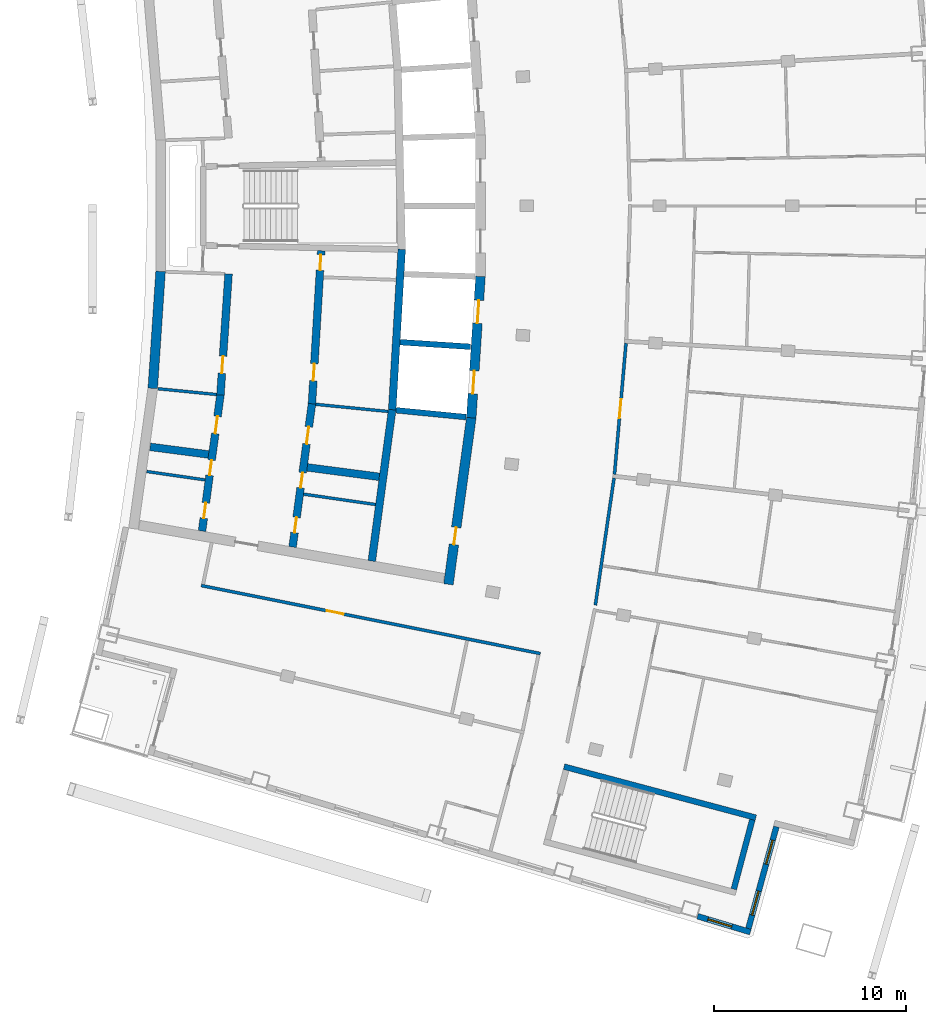
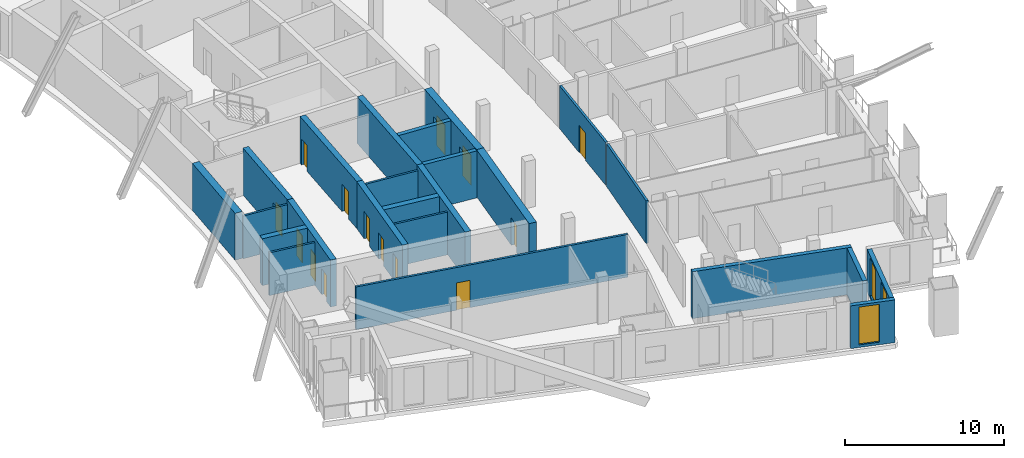
# One storey, part 8 of 17: 24 walls, 14 doors, 3 windows, 17 openings.
"""IFC4 building model written with IfcOpenShell, lengths in metres."""

from ifc_helpers import new_model, si_unit, direction, frame, frame_2d, origin, place, context, subcontext, project, spatial, rectangle, extrude, material, layer, layer_set, type_object, element, fill, save


model = new_model("IFC4")

# Units and contexts
model_context = context("Model", 3, precision=1e-05, world=origin(), true_north=direction((0.0, 1.0)))
body_context = subcontext(model_context, "Body", "Model", "MODEL_VIEW")
ifc_project = project(units=[si_unit("LENGTHUNIT", "METRE"), si_unit("AREAUNIT", "SQUARE_METRE"), si_unit("VOLUMEUNIT", "CUBIC_METRE"), si_unit("PLANEANGLEUNIT", "RADIAN"), si_unit("MASSUNIT", "GRAM", prefix="KILO")], contexts=[model_context])

# Site, building, storey
site_placement = place(None, origin())
site = spatial("IfcSite", under=ifc_project, at=site_placement, CompositionType="ELEMENT")
building_placement = place(site_placement, origin())
building = spatial("IfcBuilding", under=site, at=building_placement, Name="Alderwake Tower", CompositionType="ELEMENT")
storey_placement = place(building_placement, frame((0.0, 0.0, 256.39990234375)))
storey = spatial("IfcBuildingStorey", under=building, at=storey_placement, Name="L63", CompositionType="ELEMENT", Elevation=256.39990234375)

# Walls
ifc_material_1 = material(Name="Gypsum shaft wall system, rated")
ifc_layer_1 = layer(ifc_material_1, 0.14990234375)
ifc_layer_set_1 = layer_set([ifc_layer_1], Name="Core room partition 150")
wall_type_1 = type_object("IfcWallType", Name="Core room partition 150", PredefinedType="PARTITIONING", material=ifc_layer_set_1)
wall_1_placement = place(storey_placement, frame((15.965576171875, 47.13916015625, 0.0), z_axis=(0.0, 0.0, 1.0), x_axis=(0.989737455728, -0.142897756207, 0.0)))
element("IfcWall", 1, at=wall_1_placement, inside=storey, type_object=wall_type_1, Name="CW/L63/PR-150_+0", PredefinedType="PARTITIONING", context=body_context, shape_type="SweptSolid", body=[
    extrude(rectangle(XDim=3.07861328125, YDim=0.14990234375, at=frame_2d((1.539306640625, 0.0))), origin(), (0.0, 0.0, 1.0), 3.280029296875),
])
wall_2_placement = place(storey_placement, frame((24.156005859375, 45.956298828125, 0.0), z_axis=(0.0, 0.0, 1.0), x_axis=(0.989733513529, -0.142925057975, 0.0)))
element("IfcWall", 2, at=wall_2_placement, inside=storey, type_object=wall_type_1, Name="CW/L63/PR-150_+86", PredefinedType="PARTITIONING", context=body_context, shape_type="SweptSolid", body=[
    extrude(rectangle(XDim=3.795654296875, YDim=0.14990234375, at=frame_2d((1.89794921875, 0.0))), origin(), (0.0, 0.0, 1.0), 3.280029296875),
])
wall_3_placement = place(storey_placement, frame((16.559814453125, 51.458251953125, 0.0), z_axis=(0.0, 0.0, 1.0), x_axis=(0.99515693677, -0.098298887065, 0.0)))
element("IfcWall", 3, at=wall_3_placement, inside=storey, type_object=wall_type_1, Name="CW/L63/PR-103_+0", PredefinedType="PARTITIONING", context=body_context, shape_type="SweptSolid", body=[
    extrude(rectangle(XDim=3.06982421875, YDim=0.14990234375, at=frame_2d((1.534912109375, 0.0))), origin(), (0.0, 0.0, 1.0), 3.280029296875),
])
wall_4_placement = place(storey_placement, frame((24.789794921875, 50.64501953125, 0.0), z_axis=(0.0, 0.0, 1.0), x_axis=(0.995153039802, -0.098338331148, 0.0)))
element("IfcWall", 4, at=wall_4_placement, inside=storey, type_object=wall_type_1, Name="CW/L63/PR-103_+86", PredefinedType="PARTITIONING", context=body_context, shape_type="SweptSolid", body=[
    extrude(rectangle(XDim=3.7958984375, YDim=0.14990234375, at=frame_2d((1.89794921875, 0.0))), origin(), (0.0, 0.0, 1.0), 3.280029296875),
])
ifc_material_2 = material(Name="Concrete C70/85", Category="concrete")
ifc_layer_2 = layer(ifc_material_2, 0.5)
ifc_layer_set_2 = layer_set([ifc_layer_2], Name="Core wall outer 500 C70-85")
wall_type_2 = type_object("IfcWallType", Name="Core wall outer 500 C70-85", PredefinedType="SHEAR", material=ifc_layer_set_2)
wall_5_placement = place(storey_placement, frame((16.280517578125, 51.4765625, 0.0), z_axis=(0.0, 0.0, 1.0), x_axis=(0.066863022947, 0.997762164127, 0.0)))
element("IfcWall", 5, at=wall_5_placement, inside=storey, type_object=wall_type_2, Name="Core wall CW.027", PredefinedType="SHEAR", context=body_context, shape_type="SweptSolid", body=[
    extrude(rectangle(XDim=6.123291015625, YDim=0.5, at=frame_2d((3.0615234375, 0.0))), origin(), (0.0, 0.0, 1.0), 3.60009765625),
])

# Wall, opening, door
wall_6_placement = place(storey_placement, frame((32.912109375, 49.960693359375, 0.0), z_axis=(0.0, 0.0, 1.0), x_axis=(-0.1358539401, -0.990728876615, 0.0)))
wall_6 = element("IfcWall", 6, at=wall_6_placement, inside=storey, type_object=wall_type_2, Name="Core wall CW.022", PredefinedType="SHEAR", context=body_context, shape_type="SweptSolid", body=[
    extrude(rectangle(XDim=8.794921875, YDim=0.5, at=frame_2d((4.3974609375, 0.0))), origin(), (0.0, 0.0, 1.0), 3.60009765625),
])
opening_1_placement = place(wall_6_placement, frame((5.79638671875, 0.0, 0.0)))
opening_1 = element("IfcOpeningElement", 7, at=opening_1_placement, cuts=wall_6, Name="Opening C060", PredefinedType="OPENING", context=body_context, shape_type="SweptSolid", body=[
    extrude(rectangle(XDim=0.89990234375, YDim=2.10009765625, at=frame_2d((0.449951171875, 1.050048828125))), frame((0.0, 0.260009765625, 0.0), z_axis=(0.0, -1.0, 0.0), x_axis=(1.0, 0.0, 0.0)), (0.0, 0.0, 1.0), 0.52001953125),
])
ifc_material_3 = material(Name="Painted steel leaf", Category="steel")
door_type_1 = type_object("IfcDoorType", Name="Core room door 900", OperationType="SINGLE_SWING_LEFT", PredefinedType="DOOR", material=ifc_material_3)
door_1_placement = place(opening_1_placement, origin())
door_1 = element("IfcDoor", 8, at=door_1_placement, inside=storey, type_object=door_type_1, Name="Room door", OperationType="SINGLE_SWING_RIGHT", OverallHeight=2.10009765625, OverallWidth=0.89990234375, PredefinedType="DOOR", context=body_context, shape_type="SweptSolid", body=[
    extrude(rectangle(XDim=0.89990234375, YDim=2.10009765625, at=frame_2d((0.449951171875, 1.050048828125))), frame((0.0, 0.02490234375, 0.0), z_axis=(0.0, -1.0, 0.0), x_axis=(1.0, 0.0, 0.0)), (0.0, 0.0, 1.0), 0.050048828125),
])
fill(opening_1, door_1)

# Wall, openings, doors
wall_7_placement = place(storey_placement, frame((32.91015625, 49.942138671875, 0.0), z_axis=(0.0, 0.0, 1.0), x_axis=(0.064980500916, 0.997886533881, 0.0)))
wall_7 = element("IfcWall", 9, at=wall_7_placement, inside=storey, type_object=wall_type_2, Name="Core wall CW.021", PredefinedType="SHEAR", context=body_context, shape_type="SweptSolid", body=[
    extrude(rectangle(XDim=7.39404296875, YDim=0.5, at=frame_2d((3.697021484375, 0.0))), origin(), (0.0, 0.0, 1.0), 3.60009765625),
])
opening_2_placement = place(wall_7_placement, frame((1.253173828125, 0.0, 0.0)))
opening_2 = element("IfcOpeningElement", 10, at=opening_2_placement, cuts=wall_7, Name="Opening LD-HP1", PredefinedType="OPENING", context=body_context, shape_type="SweptSolid", body=[
    extrude(rectangle(XDim=1.199951171875, YDim=2.300048828125, at=frame_2d((0.60009765625, 1.14990234375))), frame((0.0, 0.260009765625, 0.0), z_axis=(0.0, -1.0, 0.0), x_axis=(1.0, 0.0, 0.0)), (0.0, 0.0, 1.0), 0.52001953125),
])
opening_3_placement = place(wall_7_placement, frame((4.941650390625, 0.0, 0.0)))
opening_3 = element("IfcOpeningElement", 11, at=opening_3_placement, cuts=wall_7, Name="Opening LD-HP2", PredefinedType="OPENING", context=body_context, shape_type="SweptSolid", body=[
    extrude(rectangle(XDim=1.199951171875, YDim=2.300048828125, at=frame_2d((0.60009765625, 1.14990234375))), frame((0.0, 0.260009765625, 0.0), z_axis=(0.0, -1.0, 0.0), x_axis=(1.0, 0.0, 0.0)), (0.0, 0.0, 1.0), 0.52001953125),
])
ifc_material_4 = material(Name="Stainless steel sliding leaf", Category="steel")
door_type_2 = type_object("IfcDoorType", Name="Lift landing door 1200", OperationType="SLIDING_TO_LEFT", PredefinedType="DOOR", material=ifc_material_4)
door_2_placement = place(opening_2_placement, origin())
door_2 = element("IfcDoor", 12, at=door_2_placement, inside=storey, type_object=door_type_2, Name="Lift landing door HP1", OperationType="SLIDING_TO_LEFT", OverallHeight=2.300048828125, OverallWidth=1.199951171875, PredefinedType="DOOR", context=body_context, shape_type="SweptSolid", body=[
    extrude(rectangle(XDim=1.199951171875, YDim=2.300048828125, at=frame_2d((0.60009765625, 1.14990234375))), frame((0.0, 0.02490234375, 0.0), z_axis=(0.0, -1.0, 0.0), x_axis=(1.0, 0.0, 0.0)), (0.0, 0.0, 1.0), 0.050048828125),
])
fill(opening_2, door_2)
door_3_placement = place(opening_3_placement, origin())
door_3 = element("IfcDoor", 13, at=door_3_placement, inside=storey, type_object=door_type_2, Name="Lift landing door HP2", OperationType="SLIDING_TO_LEFT", OverallHeight=2.300048828125, OverallWidth=1.199951171875, PredefinedType="DOOR", context=body_context, shape_type="SweptSolid", body=[
    extrude(rectangle(XDim=1.199951171875, YDim=2.300048828125, at=frame_2d((0.60009765625, 1.14990234375))), frame((0.0, 0.02490234375, 0.0), z_axis=(0.0, -1.0, 0.0), x_axis=(1.0, 0.0, 0.0)), (0.0, 0.0, 1.0), 0.050048828125),
])
fill(opening_3, door_3)

# Walls
ifc_material_5 = material(Name="Concrete C70/85", Category="concrete")
ifc_layer_3 = layer(ifc_material_5, 0.300048828125)
ifc_layer_set_3 = layer_set([ifc_layer_3], Name="Core wall shaft 300 C70-85")
wall_type_3 = type_object("IfcWallType", Name="Core wall shaft 300 C70-85", PredefinedType="SHEAR", material=ifc_layer_set_3)
wall_8_placement = place(storey_placement, frame((28.9794921875, 50.336181640625, 0.0), z_axis=(0.0, 0.0, 1.0), x_axis=(0.995245736737, -0.097395705788, 0.0)))
element("IfcWall", 14, at=wall_8_placement, inside=storey, type_object=wall_type_3, Name="Core wall CW.064", PredefinedType="SHEAR", context=body_context, shape_type="SweptSolid", body=[
    extrude(rectangle(XDim=3.669677734375, YDim=0.300048828125, at=frame_2d((1.8349609375, 0.0))), origin(), (0.0, 0.0, 1.0), 3.60009765625),
])
wall_9_placement = place(storey_placement, frame((29.190185546875, 53.8896484375, 0.0), z_axis=(0.0, 0.0, 1.0), x_axis=(0.997885615286, -0.06499460597, 0.0)))
element("IfcWall", 15, at=wall_9_placement, inside=storey, type_object=wall_type_3, Name="Core wall CW.078", PredefinedType="SHEAR", context=body_context, shape_type="SweptSolid", body=[
    extrude(rectangle(XDim=3.688720703125, YDim=0.300048828125, at=frame_2d((1.84423828125, 0.0))), origin(), (0.0, 0.0, 1.0), 3.60009765625),
])

# Wall, openings, doors
ifc_material_6 = material(Name="Concrete C70/85", Category="concrete")
ifc_layer_4 = layer(ifc_material_6, 0.39990234375)
ifc_layer_set_4 = layer_set([ifc_layer_4], Name="Core wall spine 400 C70-85")
wall_type_4 = type_object("IfcWallType", Name="Core wall spine 400 C70-85", PredefinedType="SHEAR", material=ifc_layer_set_4)
wall_10_placement = place(storey_placement, frame((19.814697265625, 51.143798828125, 0.0), z_axis=(0.0, 0.0, 1.0), x_axis=(-0.133823115837, -0.991005233925, 0.0)))
wall_10 = element("IfcWall", 16, at=wall_10_placement, inside=storey, type_object=wall_type_4, Name="Core wall CW.033", PredefinedType="SHEAR", context=body_context, shape_type="SweptSolid", body=[
    extrude(rectangle(XDim=7.1787109375, YDim=0.39990234375, at=frame_2d((3.58935546875, 0.0))), origin(), (0.0, 0.0, 1.0), 3.60009765625),
])
opening_4_placement = place(wall_10_placement, frame((5.69677734375, 0.0, 0.0)))
opening_4 = element("IfcOpeningElement", 17, at=opening_4_placement, cuts=wall_10, Name="Opening C008", PredefinedType="OPENING", context=body_context, shape_type="SweptSolid", body=[
    extrude(rectangle(XDim=0.800048828125, YDim=2.0, at=frame_2d((0.39990234375, 1.0))), frame((0.0, 0.2099609375, 0.0), z_axis=(0.0, -1.0, 0.0), x_axis=(1.0, 0.0, 0.0)), (0.0, 0.0, 1.0), 0.419921875),
])
opening_5_placement = place(wall_10_placement, frame((3.443115234375, 0.0, 0.0)))
opening_5 = element("IfcOpeningElement", 18, at=opening_5_placement, cuts=wall_10, Name="Opening C012", PredefinedType="OPENING", context=body_context, shape_type="SweptSolid", body=[
    extrude(rectangle(XDim=0.800048828125, YDim=2.0, at=frame_2d((0.39990234375, 1.0))), frame((0.0, 0.2099609375, 0.0), z_axis=(0.0, -1.0, 0.0), x_axis=(1.0, 0.0, 0.0)), (0.0, 0.0, 1.0), 0.419921875),
])
opening_6_placement = place(wall_10_placement, frame((1.13916015625, 0.0, 0.0)))
opening_6 = element("IfcOpeningElement", 19, at=opening_6_placement, cuts=wall_10, Name="Opening C039", PredefinedType="OPENING", context=body_context, shape_type="SweptSolid", body=[
    extrude(rectangle(XDim=0.89990234375, YDim=2.10009765625, at=frame_2d((0.449951171875, 1.050048828125))), frame((0.0, 0.2099609375, 0.0), z_axis=(0.0, -1.0, 0.0), x_axis=(1.0, 0.0, 0.0)), (0.0, 0.0, 1.0), 0.419921875),
])
door_4_placement = place(opening_6_placement, origin())
door_4 = element("IfcDoor", 20, at=door_4_placement, inside=storey, type_object=door_type_1, Name="Room door", OperationType="SINGLE_SWING_LEFT", OverallHeight=2.10009765625, OverallWidth=0.89990234375, PredefinedType="DOOR", context=body_context, shape_type="SweptSolid", body=[
    extrude(rectangle(XDim=0.89990234375, YDim=2.10009765625, at=frame_2d((0.449951171875, 1.050048828125))), frame((0.0, 0.02490234375, 0.0), z_axis=(0.0, -1.0, 0.0), x_axis=(1.0, 0.0, 0.0)), (0.0, 0.0, 1.0), 0.050048828125),
])
fill(opening_6, door_4)
ifc_material_7 = material(Name="Painted steel leaf, rated", Category="steel")
door_type_3 = type_object("IfcDoorType", Name="Riser access door 800", OperationType="SINGLE_SWING_LEFT", PredefinedType="DOOR", material=ifc_material_7)
door_5_placement = place(opening_4_placement, origin())
door_5 = element("IfcDoor", 21, at=door_5_placement, inside=storey, type_object=door_type_3, Name="Riser access door", OperationType="SINGLE_SWING_LEFT", OverallHeight=2.0, OverallWidth=0.800048828125, PredefinedType="DOOR", context=body_context, shape_type="SweptSolid", body=[
    extrude(rectangle(XDim=0.800048828125, YDim=2.0, at=frame_2d((0.39990234375, 1.0))), frame((0.0, 0.02490234375, 0.0), z_axis=(0.0, -1.0, 0.0), x_axis=(1.0, 0.0, 0.0)), (0.0, 0.0, 1.0), 0.050048828125),
])
fill(opening_4, door_5)
door_6_placement = place(opening_5_placement, origin())
door_6 = element("IfcDoor", 22, at=door_6_placement, inside=storey, type_object=door_type_3, Name="Riser access door", OperationType="SINGLE_SWING_RIGHT", OverallHeight=2.0, OverallWidth=0.800048828125, PredefinedType="DOOR", context=body_context, shape_type="SweptSolid", body=[
    extrude(rectangle(XDim=0.800048828125, YDim=2.0, at=frame_2d((0.39990234375, 1.0))), frame((0.0, 0.02490234375, 0.0), z_axis=(0.0, -1.0, 0.0), x_axis=(1.0, 0.0, 0.0)), (0.0, 0.0, 1.0), 0.050048828125),
])
fill(opening_5, door_6)

# Wall, opening, door
wall_11_placement = place(storey_placement, frame((20.2373046875, 57.451904296875, 0.0), z_axis=(0.0, 0.0, 1.0), x_axis=(-0.066884681503, -0.997760712486, 0.0)))
wall_11 = element("IfcWall", 23, at=wall_11_placement, inside=storey, type_object=wall_type_4, Name="Core wall CW.032", PredefinedType="SHEAR", context=body_context, shape_type="SweptSolid", body=[
    extrude(rectangle(XDim=6.336669921875, YDim=0.39990234375, at=frame_2d((3.16845703125, 0.0))), origin(), (0.0, 0.0, 1.0), 3.60009765625),
])
opening_7_placement = place(wall_11_placement, frame((4.29736328125, 0.0, 0.0)))
opening_7 = element("IfcOpeningElement", 24, at=opening_7_placement, cuts=wall_11, Name="Opening C040", PredefinedType="OPENING", context=body_context, shape_type="SweptSolid", body=[
    extrude(rectangle(XDim=0.89990234375, YDim=2.10009765625, at=frame_2d((0.449951171875, 1.050048828125))), frame((0.0, 0.2099609375, 0.0), z_axis=(0.0, -1.0, 0.0), x_axis=(1.0, 0.0, 0.0)), (0.0, 0.0, 1.0), 0.419921875),
])
door_7_placement = place(opening_7_placement, origin())
door_7 = element("IfcDoor", 25, at=door_7_placement, inside=storey, type_object=door_type_1, Name="Room door", OperationType="SINGLE_SWING_RIGHT", OverallHeight=2.10009765625, OverallWidth=0.89990234375, PredefinedType="DOOR", context=body_context, shape_type="SweptSolid", body=[
    extrude(rectangle(XDim=0.89990234375, YDim=2.10009765625, at=frame_2d((0.449951171875, 1.050048828125))), frame((0.0, 0.02490234375, 0.0), z_axis=(0.0, -1.0, 0.0), x_axis=(1.0, 0.0, 0.0)), (0.0, 0.0, 1.0), 0.050048828125),
])
fill(opening_7, door_7)

# Wall, openings, doors
wall_12_placement = place(storey_placement, frame((23.58056640625, 43.19384765625, 0.0), z_axis=(0.0, 0.0, 1.0), x_axis=(0.133962545762, 0.990986395635, 0.0)))
wall_12 = element("IfcWall", 26, at=wall_12_placement, inside=storey, type_object=wall_type_4, Name="Core wall CW.047", PredefinedType="SHEAR", context=body_context, shape_type="SweptSolid", body=[
    extrude(rectangle(XDim=7.546875, YDim=0.39990234375, at=frame_2d((3.7734375, 0.0))), origin(), (0.0, 0.0, 1.0), 3.60009765625),
])
opening_8_placement = place(wall_12_placement, frame((0.7578125, 0.0, 0.0)))
opening_8 = element("IfcOpeningElement", 27, at=opening_8_placement, cuts=wall_12, Name="Opening C015", PredefinedType="OPENING", context=body_context, shape_type="SweptSolid", body=[
    extrude(rectangle(XDim=0.800048828125, YDim=2.0, at=frame_2d((0.39990234375, 1.0))), frame((0.0, 0.2099609375, 0.0), z_axis=(0.0, -1.0, 0.0), x_axis=(1.0, 0.0, 0.0)), (0.0, 0.0, 1.0), 0.419921875),
])
opening_9_placement = place(wall_12_placement, frame((3.119384765625, 0.0, 0.0)))
opening_9 = element("IfcOpeningElement", 28, at=opening_9_placement, cuts=wall_12, Name="Opening C019", PredefinedType="OPENING", context=body_context, shape_type="SweptSolid", body=[
    extrude(rectangle(XDim=0.800048828125, YDim=2.0, at=frame_2d((0.39990234375, 1.0))), frame((0.0, 0.2099609375, 0.0), z_axis=(0.0, -1.0, 0.0), x_axis=(1.0, 0.0, 0.0)), (0.0, 0.0, 1.0), 0.419921875),
])
opening_10_placement = place(wall_12_placement, frame((5.43115234375, 0.0, 0.0)))
opening_10 = element("IfcOpeningElement", 29, at=opening_10_placement, cuts=wall_12, Name="Opening C045", PredefinedType="OPENING", context=body_context, shape_type="SweptSolid", body=[
    extrude(rectangle(XDim=0.89990234375, YDim=2.10009765625, at=frame_2d((0.449951171875, 1.050048828125))), frame((0.0, 0.2099609375, 0.0), z_axis=(0.0, -1.0, 0.0), x_axis=(1.0, 0.0, 0.0)), (0.0, 0.0, 1.0), 0.419921875),
])
door_8_placement = place(opening_10_placement, origin())
door_8 = element("IfcDoor", 30, at=door_8_placement, inside=storey, type_object=door_type_1, Name="Room door", OperationType="SINGLE_SWING_LEFT", OverallHeight=2.10009765625, OverallWidth=0.89990234375, PredefinedType="DOOR", context=body_context, shape_type="SweptSolid", body=[
    extrude(rectangle(XDim=0.89990234375, YDim=2.10009765625, at=frame_2d((0.449951171875, 1.050048828125))), frame((0.0, 0.02490234375, 0.0), z_axis=(0.0, -1.0, 0.0), x_axis=(1.0, 0.0, 0.0)), (0.0, 0.0, 1.0), 0.050048828125),
])
fill(opening_10, door_8)
door_9_placement = place(opening_8_placement, origin())
door_9 = element("IfcDoor", 31, at=door_9_placement, inside=storey, type_object=door_type_3, Name="Riser access door", OperationType="SINGLE_SWING_LEFT", OverallHeight=2.0, OverallWidth=0.800048828125, PredefinedType="DOOR", context=body_context, shape_type="SweptSolid", body=[
    extrude(rectangle(XDim=0.800048828125, YDim=2.0, at=frame_2d((0.39990234375, 1.0))), frame((0.0, 0.02490234375, 0.0), z_axis=(0.0, -1.0, 0.0), x_axis=(1.0, 0.0, 0.0)), (0.0, 0.0, 1.0), 0.050048828125),
])
fill(opening_8, door_9)
door_10_placement = place(opening_9_placement, origin())
door_10 = element("IfcDoor", 32, at=door_10_placement, inside=storey, type_object=door_type_3, Name="Riser access door", OperationType="SINGLE_SWING_RIGHT", OverallHeight=2.0, OverallWidth=0.800048828125, PredefinedType="DOOR", context=body_context, shape_type="SweptSolid", body=[
    extrude(rectangle(XDim=0.800048828125, YDim=2.0, at=frame_2d((0.39990234375, 1.0))), frame((0.0, 0.02490234375, 0.0), z_axis=(0.0, -1.0, 0.0), x_axis=(1.0, 0.0, 0.0)), (0.0, 0.0, 1.0), 0.050048828125),
])
fill(opening_9, door_10)

wall_13_placement = place(storey_placement, frame((24.590087890625, 50.65673828125, 0.0), z_axis=(0.0, 0.0, 1.0), x_axis=(0.060318641452, 0.998179173041, 0.0)))
wall_13 = element("IfcWall", 33, at=wall_13_placement, inside=storey, type_object=wall_type_4, Name="Core wall CW.046", PredefinedType="SHEAR", context=body_context, shape_type="SweptSolid", body=[
    extrude(rectangle(XDim=8.022216796875, YDim=0.39990234375, at=frame_2d((4.01123046875, 0.0))), origin(), (0.0, 0.0, 1.0), 3.60009765625),
])
opening_11_placement = place(wall_13_placement, frame((7.006103515625, 0.0, 0.0)))
opening_11 = element("IfcOpeningElement", 34, at=opening_11_placement, cuts=wall_13, Name="Opening C006", PredefinedType="OPENING", context=body_context, shape_type="SweptSolid", body=[
    extrude(rectangle(XDim=0.800048828125, YDim=2.0, at=frame_2d((0.39990234375, 1.0))), frame((0.0, 0.2099609375, 0.0), z_axis=(0.0, -1.0, 0.0), x_axis=(1.0, 0.0, 0.0)), (0.0, 0.0, 1.0), 0.419921875),
])
opening_12_placement = place(wall_13_placement, frame((1.21533203125, 0.0, 0.0)))
opening_12 = element("IfcOpeningElement", 35, at=opening_12_placement, cuts=wall_13, Name="Opening C046", PredefinedType="OPENING", context=body_context, shape_type="SweptSolid", body=[
    extrude(rectangle(XDim=0.89990234375, YDim=2.10009765625, at=frame_2d((0.449951171875, 1.050048828125))), frame((0.0, 0.2099609375, 0.0), z_axis=(0.0, -1.0, 0.0), x_axis=(1.0, 0.0, 0.0)), (0.0, 0.0, 1.0), 0.419921875),
])
door_11_placement = place(opening_12_placement, origin())
door_11 = element("IfcDoor", 36, at=door_11_placement, inside=storey, type_object=door_type_1, Name="Room door", OperationType="SINGLE_SWING_RIGHT", OverallHeight=2.10009765625, OverallWidth=0.89990234375, PredefinedType="DOOR", context=body_context, shape_type="SweptSolid", body=[
    extrude(rectangle(XDim=0.89990234375, YDim=2.10009765625, at=frame_2d((0.449951171875, 1.050048828125))), frame((0.0, 0.02490234375, 0.0), z_axis=(0.0, -1.0, 0.0), x_axis=(1.0, 0.0, 0.0)), (0.0, 0.0, 1.0), 0.050048828125),
])
fill(opening_12, door_11)
door_12_placement = place(opening_11_placement, origin())
door_12 = element("IfcDoor", 37, at=door_12_placement, inside=storey, type_object=door_type_3, Name="Riser access door", OperationType="SINGLE_SWING_RIGHT", OverallHeight=2.0, OverallWidth=0.800048828125, PredefinedType="DOOR", context=body_context, shape_type="SweptSolid", body=[
    extrude(rectangle(XDim=0.800048828125, YDim=2.0, at=frame_2d((0.39990234375, 1.0))), frame((0.0, 0.02490234375, 0.0), z_axis=(0.0, -1.0, 0.0), x_axis=(1.0, 0.0, 0.0)), (0.0, 0.0, 1.0), 0.050048828125),
])
fill(opening_11, door_12)

# Walls
wall_14_placement = place(storey_placement, frame((27.716552734375, 42.46240234375, 0.0), z_axis=(0.0, 0.0, 1.0), x_axis=(0.133575701536, 0.991038612749, 0.0)))
element("IfcWall", 38, at=wall_14_placement, inside=storey, type_object=wall_type_4, Name="Core wall CW.006", PredefinedType="SHEAR", context=body_context, shape_type="SweptSolid", body=[
    extrude(rectangle(XDim=7.97265625, YDim=0.39990234375, at=frame_2d((3.986328125, 0.0))), origin(), (0.0, 0.0, 1.0), 3.60009765625),
])
wall_15_placement = place(storey_placement, frame((28.780029296875, 50.34765625, 0.0), z_axis=(0.0, 0.0, 1.0), x_axis=(0.05912910263, 0.998250343963, 0.0)))
element("IfcWall", 39, at=wall_15_placement, inside=storey, type_object=wall_type_4, Name="Core wall CW.004", PredefinedType="SHEAR", context=body_context, shape_type="SweptSolid", body=[
    extrude(rectangle(XDim=8.40234375, YDim=0.39990234375, at=frame_2d((4.201171875, 0.0))), origin(), (0.0, 0.0, 1.0), 3.60009765625),
])
wall_16_placement = place(storey_placement, frame((16.142578125, 48.42529296875, 0.0), z_axis=(0.0, 0.0, 1.0), x_axis=(0.991550757989, -0.129719290517, 0.0)))
element("IfcWall", 40, at=wall_16_placement, inside=storey, type_object=wall_type_4, Name="Core wall CW.067", PredefinedType="SHEAR", context=body_context, shape_type="SweptSolid", body=[
    extrude(rectangle(XDim=3.0751953125, YDim=0.39990234375, at=frame_2d((1.53759765625, 0.0))), origin(), (0.0, 0.0, 1.0), 3.60009765625),
])
wall_17_placement = place(storey_placement, frame((24.344482421875, 47.3525390625, 0.0), z_axis=(0.0, 0.0, 1.0), x_axis=(0.991554071493, -0.129693960172, 0.0)))
element("IfcWall", 41, at=wall_17_placement, inside=storey, type_object=wall_type_4, Name="Core wall CW.069", PredefinedType="SHEAR", context=body_context, shape_type="SweptSolid", body=[
    extrude(rectangle(XDim=3.794921875, YDim=0.39990234375, at=frame_2d((1.8974609375, 0.0))), origin(), (0.0, 0.0, 1.0), 3.60009765625),
])
ifc_material_8 = material(Name="Concrete C70/85", Category="concrete")
ifc_layer_5 = layer(ifc_material_8, 0.300048828125)
ifc_layer_set_5 = layer_set([ifc_layer_5], Name="Core wall stair enclosure 300 C70-85")
wall_type_5 = type_object("IfcWallType", Name="Core wall stair enclosure 300 C70-85", PredefinedType="SHEAR", material=ifc_layer_set_5)
wall_18_placement = place(storey_placement, frame((37.75390625, 31.731201171875, 0.0), z_axis=(0.0, 0.0, 1.0), x_axis=(0.966309214305, -0.257383958996, 0.0)))
element("IfcWall", 42, at=wall_18_placement, inside=storey, type_object=wall_type_5, Name="Core wall CW.086", PredefinedType="SHEAR", context=body_context, shape_type="SweptSolid", body=[
    extrude(rectangle(XDim=10.360107421875, YDim=0.300048828125, at=frame_2d((5.18017578125, 0.0))), origin(), (0.0, 0.0, 1.0), 3.60009765625),
])
wall_19_placement = place(storey_placement, frame((46.6162109375, 25.334716796875, 0.0), z_axis=(0.0, 0.0, 1.0), x_axis=(0.257366821694, 0.966313778796, 0.0)))
element("IfcWall", 43, at=wall_19_placement, inside=storey, type_object=wall_type_5, Name="Core wall CW.085", PredefinedType="SHEAR", context=body_context, shape_type="SweptSolid", body=[
    extrude(rectangle(XDim=3.749755859375, YDim=0.300048828125, at=frame_2d((1.875, 0.0))), origin(), (0.0, 0.0, 1.0), 3.60009765625),
])

# Wall, opening, door
ifc_material_9 = material(Name="Gypsum board on metal studs, rated")
ifc_layer_6 = layer(ifc_material_9, 0.159912109375)
ifc_layer_set_6 = layer_set([ifc_layer_6], Name="Corridor wall 160")
wall_type_6 = type_object("IfcWallType", Name="Corridor wall 160", PredefinedType="PARTITIONING", material=ifc_layer_set_6)
wall_20_placement = place(storey_placement, frame((36.513427734375, 37.63427734375, 0.0), z_axis=(0.0, 0.0, 1.0), x_axis=(-0.980470254867, 0.1966674333, 0.0)))
wall_20 = element("IfcWall", 44, at=wall_20_placement, inside=storey, type_object=wall_type_6, Name="WL/L63/W10", PredefinedType="PARTITIONING", context=body_context, shape_type="SweptSolid", body=[
    extrude(rectangle(XDim=18.053466796875, YDim=0.159912109375, at=frame_2d((9.02685546875, 0.0))), origin(), (0.0, 0.0, 1.0), 3.280029296875),
])
opening_13_placement = place(wall_20_placement, frame((10.476806640625, 0.0, 0.0)))
opening_13 = element("IfcOpeningElement", 45, at=opening_13_placement, cuts=wall_20, Name="Opening R18-SBS1", PredefinedType="OPENING", context=body_context, shape_type="SweptSolid", body=[
    extrude(rectangle(XDim=0.89990234375, YDim=2.10009765625, at=frame_2d((0.449951171875, 1.050048828125))), frame((0.0, 0.08984375, 0.0), z_axis=(0.0, -1.0, 0.0), x_axis=(1.0, 0.0, 0.0)), (0.0, 0.0, 1.0), 0.179931640625),
])
ifc_material_10 = material(Name="Painted timber leaf", Category="wood")
door_type_4 = type_object("IfcDoorType", Name="Room door 900", OperationType="SINGLE_SWING_LEFT", PredefinedType="DOOR", material=ifc_material_10)
door_13_placement = place(opening_13_placement, origin())
door_13 = element("IfcDoor", 46, at=door_13_placement, inside=storey, type_object=door_type_4, Name="DR/L63/SBS1", OperationType="SINGLE_SWING_LEFT", OverallHeight=2.10009765625, OverallWidth=0.89990234375, PredefinedType="DOOR", context=body_context, shape_type="SweptSolid", body=[
    extrude(rectangle(XDim=0.89990234375, YDim=2.10009765625, at=frame_2d((0.449951171875, 1.050048828125))), frame((0.0, 0.02490234375, 0.0), z_axis=(0.0, -1.0, 0.0), x_axis=(1.0, 0.0, 0.0)), (0.0, 0.0, 1.0), 0.050048828125),
])
fill(opening_13, door_13)

# Wall
wall_21_placement = place(storey_placement, frame((39.38671875, 40.160888671875, 0.0), z_axis=(0.0, 0.0, 1.0), x_axis=(0.145513909196, 0.989356205939, 0.0)))
element("IfcWall", 47, at=wall_21_placement, inside=storey, type_object=wall_type_6, Name="WL/L63/W20", PredefinedType="PARTITIONING", context=body_context, shape_type="SweptSolid", body=[
    extrude(rectangle(XDim=6.704345703125, YDim=0.159912109375, at=frame_2d((3.35205078125, 0.0))), origin(), (0.0, 0.0, 1.0), 3.280029296875),
])

# Wall, opening, door
wall_22_placement = place(storey_placement, frame((40.986328125, 53.834228515625, 0.0), z_axis=(0.0, 0.0, 1.0), x_axis=(-0.087448731147, -0.996169021512, 0.0)))
wall_22 = element("IfcWall", 48, at=wall_22_placement, inside=storey, type_object=wall_type_6, Name="WL/L63/W22", PredefinedType="PARTITIONING", context=body_context, shape_type="SweptSolid", body=[
    extrude(rectangle(XDim=6.867919921875, YDim=0.159912109375, at=frame_2d((3.43408203125, 0.0))), origin(), (0.0, 0.0, 1.0), 3.280029296875),
])
opening_14_placement = place(wall_22_placement, frame((2.93408203125, 0.0, 0.0)))
opening_14 = element("IfcOpeningElement", 49, at=opening_14_placement, cuts=wall_22, Name="Opening R18-U04.1", PredefinedType="OPENING", context=body_context, shape_type="SweptSolid", body=[
    extrude(rectangle(XDim=1.0, YDim=2.10009765625, at=frame_2d((0.5, 1.050048828125))), frame((0.0, 0.08984375, 0.0), z_axis=(0.0, -1.0, 0.0), x_axis=(1.0, 0.0, 0.0)), (0.0, 0.0, 1.0), 0.179931640625),
])
ifc_material_11 = material(Name="Solid timber leaf in steel frame", Category="steel")
door_type_5 = type_object("IfcDoorType", Name="Flat entrance door 1000 fire-rated", OperationType="SINGLE_SWING_LEFT", PredefinedType="DOOR", material=ifc_material_11)
door_14_placement = place(opening_14_placement, origin())
door_14 = element("IfcDoor", 50, at=door_14_placement, inside=storey, type_object=door_type_5, Name="DR/L63/U04.1", OperationType="SINGLE_SWING_LEFT", OverallHeight=2.10009765625, OverallWidth=1.0, PredefinedType="DOOR", context=body_context, shape_type="SweptSolid", body=[
    extrude(rectangle(XDim=1.0, YDim=2.10009765625, at=frame_2d((0.5, 1.050048828125))), frame((0.0, 0.02490234375, 0.0), z_axis=(0.0, -1.0, 0.0), x_axis=(1.0, 0.0, 0.0)), (0.0, 0.0, 1.0), 0.050048828125),
])
fill(opening_14, door_14)

# Wall, opening, window
ifc_material_12 = material(Name="Bronze metal cladding on lightweight framing")
ifc_layer_7 = layer(ifc_material_12, 0.300048828125)
ifc_layer_set_7 = layer_set([ifc_layer_7], Name="External wall EW2 bronze metal cladding")
wall_type_7 = type_object("IfcWallType", Name="External wall EW2 bronze metal cladding", PredefinedType="SOLIDWALL", material=ifc_layer_set_7)
wall_23_placement = place(storey_placement, frame((44.722412109375, 23.920166015625, 0.0), z_axis=(0.0, 0.0, 1.0), x_axis=(0.957774929891, -0.287519014453, 0.0)))
wall_23 = element("IfcWall", 51, at=wall_23_placement, inside=storey, type_object=wall_type_7, Name="External wall 8", PredefinedType="SOLIDWALL", context=body_context, shape_type="SweptSolid", body=[
    extrude(rectangle(XDim=2.87939453125, YDim=0.300048828125, at=frame_2d((1.439697265625, 0.0))), origin(), (0.0, 0.0, 1.0), 3.280029296875),
])
opening_15_placement = place(wall_23_placement, frame((0.56396484375, 0.0, 0.199951171875)))
opening_15 = element("IfcOpeningElement", 52, at=opening_15_placement, cuts=wall_23, Name="Opening W1", PredefinedType="OPENING", context=body_context, shape_type="SweptSolid", body=[
    extrude(rectangle(XDim=1.300048828125, YDim=2.89990234375, at=frame_2d((0.64990234375, 1.449951171875))), frame((0.0, 0.159912109375, 0.0), z_axis=(0.0, -1.0, 0.0), x_axis=(1.0, 0.0, 0.0)), (0.0, 0.0, 1.0), 0.320068359375),
])
ifc_material_13 = material(Name="Bronze tinted glass in aluminium frame", Category="aluminium")
window_type = type_object("IfcWindowType", Name="Window W1 tall fixed and vent", PartitioningType="DOUBLE_PANEL_VERTICAL", PredefinedType="WINDOW", material=ifc_material_13)
window_1_placement = place(opening_15_placement, origin())
window_1 = element("IfcWindow", 53, at=window_1_placement, inside=storey, type_object=window_type, Name="Window W1 tall fixed and vent", OverallHeight=2.89990234375, OverallWidth=1.300048828125, PartitioningType="DOUBLE_PANEL_VERTICAL", PredefinedType="WINDOW", context=body_context, shape_type="SweptSolid", body=[
    extrude(rectangle(XDim=1.300048828125, YDim=2.89990234375, at=frame_2d((0.64990234375, 1.449951171875))), frame((0.0, 0.030029296875, 0.0), z_axis=(0.0, -1.0, 0.0), x_axis=(1.0, 0.0, 0.0)), (0.0, 0.0, 1.0), 0.06005859375),
])
fill(opening_15, window_1)

# Wall, openings, windows
wall_24_placement = place(storey_placement, frame((47.37646484375, 23.27978515625, 0.0), z_axis=(0.0, 0.0, 1.0), x_axis=(0.265054561868, 0.964233415327, 0.0)))
wall_24 = element("IfcWall", 54, at=wall_24_placement, inside=storey, type_object=wall_type_7, Name="External wall 9", PredefinedType="SOLIDWALL", context=body_context, shape_type="SweptSolid", body=[
    extrude(rectangle(XDim=5.51171875, YDim=0.300048828125, at=frame_2d((2.755859375, 0.0))), origin(), (0.0, 0.0, 1.0), 3.280029296875),
])
opening_16_placement = place(wall_24_placement, frame((0.727783203125, 0.0, 0.199951171875)))
opening_16 = element("IfcOpeningElement", 55, at=opening_16_placement, cuts=wall_24, Name="Opening W1", PredefinedType="OPENING", context=body_context, shape_type="SweptSolid", body=[
    extrude(rectangle(XDim=1.300048828125, YDim=2.89990234375, at=frame_2d((0.64990234375, 1.449951171875))), frame((0.0, 0.159912109375, 0.0), z_axis=(0.0, -1.0, 0.0), x_axis=(1.0, 0.0, 0.0)), (0.0, 0.0, 1.0), 0.320068359375),
])
opening_17_placement = place(wall_24_placement, frame((3.48388671875, 0.0, 0.199951171875)))
opening_17 = element("IfcOpeningElement", 56, at=opening_17_placement, cuts=wall_24, Name="Opening W1", PredefinedType="OPENING", context=body_context, shape_type="SweptSolid", body=[
    extrude(rectangle(XDim=1.300048828125, YDim=2.89990234375, at=frame_2d((0.64990234375, 1.449951171875))), frame((0.0, 0.159912109375, 0.0), z_axis=(0.0, -1.0, 0.0), x_axis=(1.0, 0.0, 0.0)), (0.0, 0.0, 1.0), 0.320068359375),
])
window_2_placement = place(opening_16_placement, origin())
window_2 = element("IfcWindow", 57, at=window_2_placement, inside=storey, type_object=window_type, Name="Window W1 tall fixed and vent", OverallHeight=2.89990234375, OverallWidth=1.300048828125, PartitioningType="DOUBLE_PANEL_VERTICAL", PredefinedType="WINDOW", context=body_context, shape_type="SweptSolid", body=[
    extrude(rectangle(XDim=1.300048828125, YDim=2.89990234375, at=frame_2d((0.64990234375, 1.449951171875))), frame((0.0, 0.030029296875, 0.0), z_axis=(0.0, -1.0, 0.0), x_axis=(1.0, 0.0, 0.0)), (0.0, 0.0, 1.0), 0.06005859375),
])
fill(opening_16, window_2)
window_3_placement = place(opening_17_placement, origin())
window_3 = element("IfcWindow", 58, at=window_3_placement, inside=storey, type_object=window_type, Name="Window W1 tall fixed and vent", OverallHeight=2.89990234375, OverallWidth=1.300048828125, PartitioningType="DOUBLE_PANEL_VERTICAL", PredefinedType="WINDOW", context=body_context, shape_type="SweptSolid", body=[
    extrude(rectangle(XDim=1.300048828125, YDim=2.89990234375, at=frame_2d((0.64990234375, 1.449951171875))), frame((0.0, 0.030029296875, 0.0), z_axis=(0.0, -1.0, 0.0), x_axis=(1.0, 0.0, 0.0)), (0.0, 0.0, 1.0), 0.06005859375),
])
fill(opening_17, window_3)

save(model, "model.ifc")
